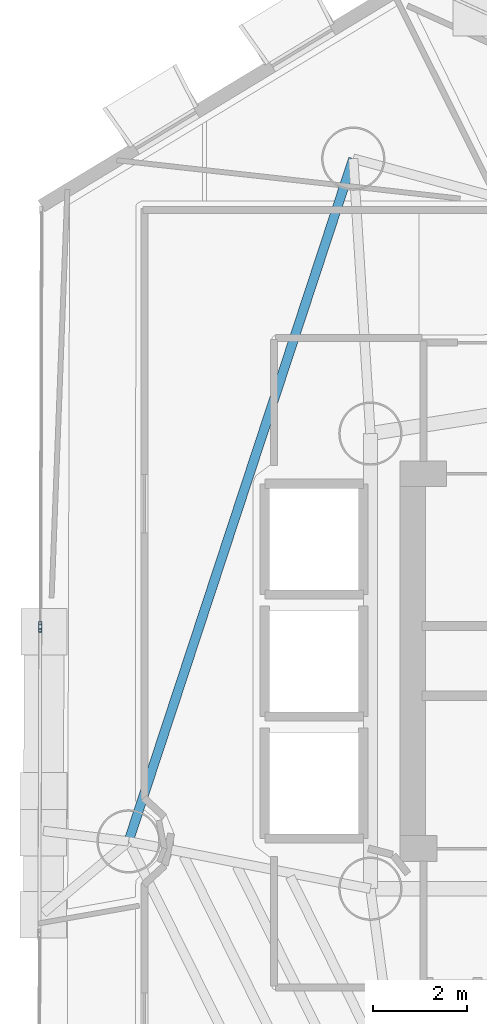
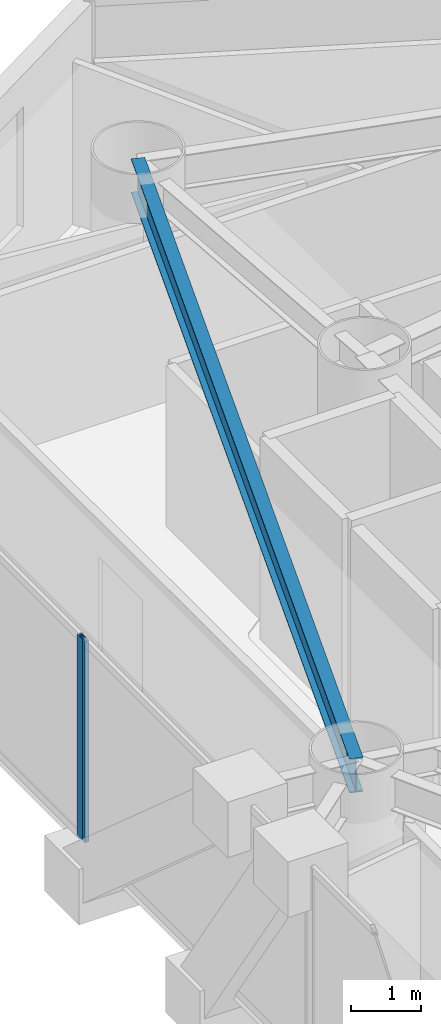
# One storey, part 9 of 23: 2 members, 1 beam, 2 elements without a shape of their own.
"""IFC4 building model written with IfcOpenShell, lengths in metres."""

from ifc_helpers import new_model, si_unit, direction, frame, origin, origin_2d, place, context, subcontext, project, spatial, hollow_rectangle, i_section, extrude, material, layer, layer_set, material_profile, profile_set, type_object, element, aggregate, save


model = new_model("IFC4")

# Units and contexts
model_context = context("Model", 3, precision=1e-05, world=origin(), true_north=direction((0.0, 1.0)))
body_context = subcontext(model_context, "Body", "Model", "MODEL_VIEW")
ifc_project = project(units=[si_unit("LENGTHUNIT", "METRE"), si_unit("AREAUNIT", "SQUARE_METRE"), si_unit("VOLUMEUNIT", "CUBIC_METRE"), si_unit("PLANEANGLEUNIT", "RADIAN"), si_unit("MASSUNIT", "GRAM", prefix="KILO")], contexts=[model_context])

# Site, building, storey
site_placement = place(None, origin())
site = spatial("IfcSite", under=ifc_project, at=site_placement, CompositionType="ELEMENT")
building_placement = place(site_placement, origin())
building = spatial("IfcBuilding", under=site, at=building_placement, Name="Qianvela Tower", CompositionType="ELEMENT")
storey_placement = place(building_placement, frame((0.0, 0.0, 147.60009765625)))
storey = spatial("IfcBuildingStorey", under=building, at=storey_placement, Name="L37", CompositionType="ELEMENT", Elevation=147.60009765625)

# Beam
ifc_material_1 = material(Name="Steel Q355B", Category="steel")
ifc_material_profile_1 = material_profile(ifc_material_1, i_section(OverallWidth=0.199951171875, OverallDepth=0.60009765625, WebThickness=0.010986328125, FlangeThickness=0.01708984375, at=origin_2d()), Name="HN600x200x11x17")
ifc_profile_set_1 = profile_set([ifc_material_profile_1], Name="Steel Q355B")
beam_type = type_object("IfcBeamType", Name="BM-HN600-GIRD", PredefinedType="BEAM", material=ifc_profile_set_1)
beam_placement = place(storey_placement, frame((28.235107421875, 39.410888671875, 3.218017578125), z_axis=(-0.312606332657, -0.949882772126, 0.0), x_axis=(0.949882772126, -0.312606332657, 0.0)))
element("IfcBeam", 1, at=beam_placement, inside=storey, type_object=beam_type, Name="L37 Perimeter Ring Spandrel Girder 3", PredefinedType="BEAM", context=body_context, shape_type="SweptSolid", body=[
    extrude(i_section(OverallWidth=0.199951171875, OverallDepth=0.60009765625, WebThickness=0.010986328125, FlangeThickness=0.01708984375, at=origin_2d()), origin(), (0.0, 0.0, 1.0), 15.31982421875),
])

# Curtain wall, member
ifc_material_2 = material(Name="Anodised Architectural Aluminium and Insulated Spandrel Panel", Category="aluminium")
ifc_layer_1 = layer(ifc_material_2, 0.179931640625)
ifc_layer_set_1 = layer_set([ifc_layer_1], Name="Anodised Architectural Aluminium and Insulated Spandrel Panel")
curtain_wall_type_1 = type_object("IfcCurtainWallType", Name="CW-BRACEBAY", PredefinedType="USERDEFINED", material=ifc_layer_set_1)
curtain_wall_1_placement = place(storey_placement, origin())
curtain_wall_1 = element("IfcCurtainWall", 2, at=curtain_wall_1_placement, inside=storey, type_object=curtain_wall_type_1, Name="L37 CW-BRACEBAY Curtain Wall 04B", ObjectType="CURTAIN_WALL_SYSTEM", PredefinedType="USERDEFINED")
ifc_material_3 = material(Name="Anodised Architectural Aluminium 6063-T6", Category="aluminium")
ifc_material_profile_2 = material_profile(ifc_material_3, hollow_rectangle(XDim=0.06494140625, YDim=0.159912109375, WallThickness=0.0048828125, at=origin_2d()), Name="ALU-MULL-65x160")
ifc_profile_set_2 = profile_set([ifc_material_profile_2], Name="Anodised Architectural Aluminium 6063-T6")
member_type_1 = type_object("IfcMemberType", Name="CW-BRACEBAY-MULL", PredefinedType="MULLION", material=ifc_profile_set_2)
member_1_placement = place(storey_placement, frame((21.564697265625, 29.39990234375, 0.0), z_axis=(0.0, 0.0, 1.0), x_axis=(0.999996066233, -0.002804909779, 0.0)))
member_1 = element("IfcMember", 3, at=member_1_placement, type_object=member_type_1, Name="CW-9 mullion 1", PredefinedType="MULLION", context=body_context, shape_type="SweptSolid", body=[
    extrude(hollow_rectangle(XDim=0.06494140625, YDim=0.159912109375, WallThickness=0.0048828125, at=origin_2d()), origin(), (0.0, 0.0, 1.0), 3.52001953125),
])
aggregate(curtain_wall_1, [member_1])

ifc_material_4 = material(Name="Anodised Architectural Aluminium and Low-E Glass", Category="aluminium")
ifc_layer_2 = layer(ifc_material_4, 0.169921875)
ifc_layer_set_2 = layer_set([ifc_layer_2], Name="Anodised Architectural Aluminium and Low-E Glass")
curtain_wall_type_2 = type_object("IfcCurtainWallType", Name="CW-COLIV-Z34", PredefinedType="USERDEFINED", material=ifc_layer_set_2)
curtain_wall_2_placement = place(storey_placement, origin())
curtain_wall_2 = element("IfcCurtainWall", 4, at=curtain_wall_2_placement, inside=storey, type_object=curtain_wall_type_2, Name="L37 CW-COLIV-Z34 Curtain Wall 04A", ObjectType="CURTAIN_WALL_SYSTEM", PredefinedType="USERDEFINED")
ifc_material_5 = material(Name="Anodised Architectural Aluminium 6063-T6", Category="aluminium")
ifc_material_profile_3 = material_profile(ifc_material_5, hollow_rectangle(XDim=0.06494140625, YDim=0.159912109375, WallThickness=0.0048828125, at=origin_2d()), Name="ALU-MULL-65x160")
ifc_profile_set_3 = profile_set([ifc_material_profile_3], Name="Anodised Architectural Aluminium 6063-T6")
member_type_2 = type_object("IfcMemberType", Name="CW-COLIV-Z34-MULL", PredefinedType="MULLION", material=ifc_profile_set_3)
member_2_placement = place(storey_placement, frame((21.564697265625, 29.46484375, 0.0), z_axis=(0.0, 0.0, 1.0), x_axis=(0.999996103843, -0.002791468947, 0.0)))
member_2 = element("IfcMember", 5, at=member_2_placement, type_object=member_type_2, Name="CW-4 mullion 2", PredefinedType="MULLION", context=body_context, shape_type="SweptSolid", body=[
    extrude(hollow_rectangle(XDim=0.06494140625, YDim=0.159912109375, WallThickness=0.0048828125, at=origin_2d()), origin(), (0.0, 0.0, 1.0), 3.52001953125),
])
aggregate(curtain_wall_2, [member_2])

save(model, "model.ifc")
